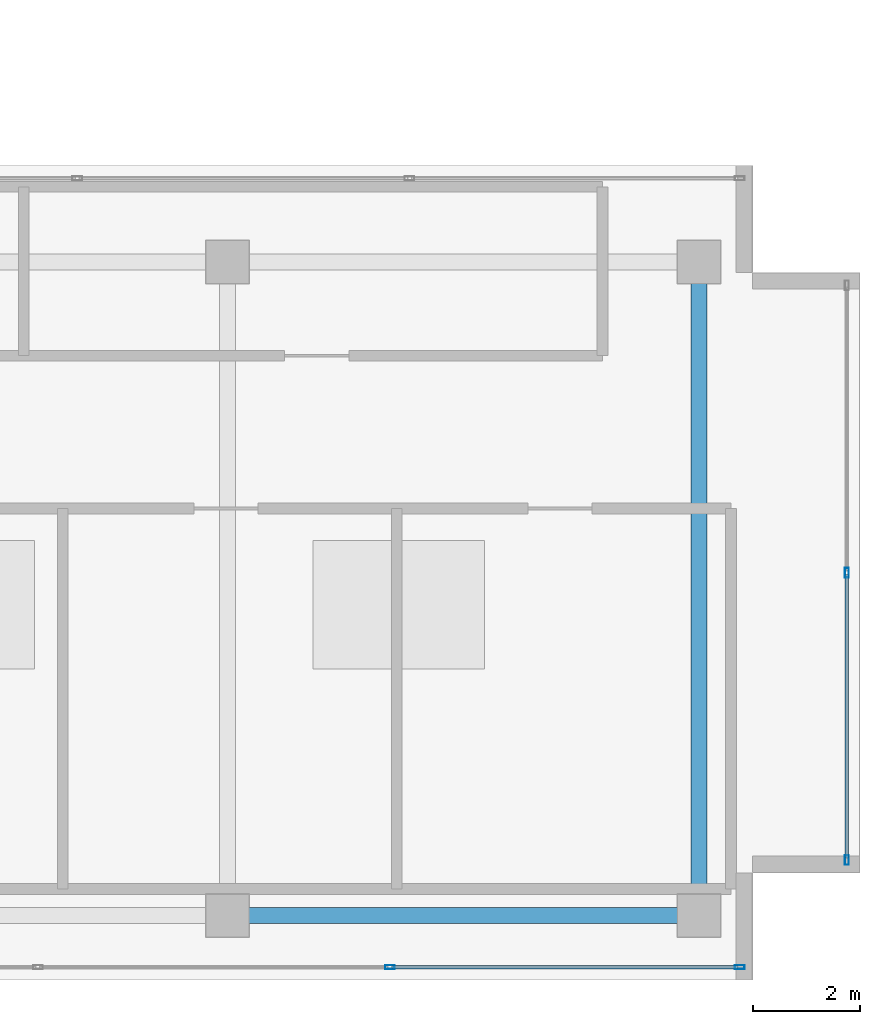
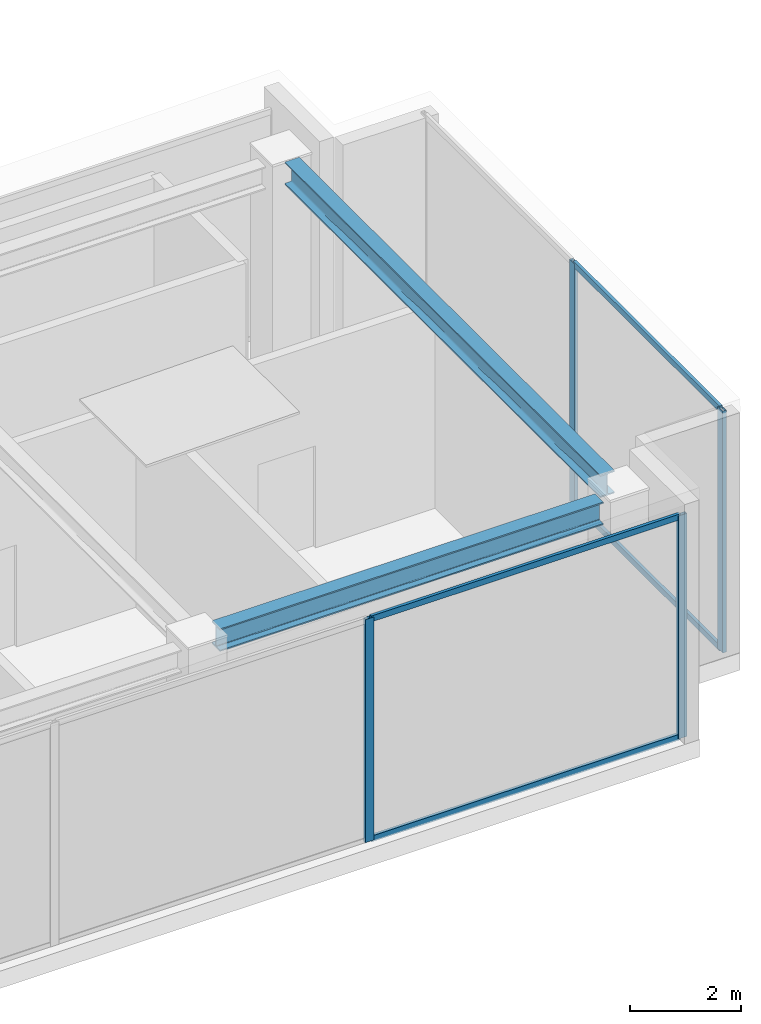
# One storey, part 14 of 22: 8 members, 2 beams, 2 elements without a shape of their own.
"""IFC4 building model written with IfcOpenShell, lengths in metres."""

from ifc_helpers import new_model, si_unit, direction, frame, origin, origin_with_axes, origin_2d, place, context, subcontext, project, spatial, hollow_rectangle, i_section, extrude, source, transform, mapped, material, layer, layer_set, material_profile, profile_set, type_object, element, aggregate, save


model = new_model("IFC4")

# Units and contexts
model_context = context("Model", 3, precision=1e-05, world=origin(), true_north=direction((0.0, 1.0)))
body_context = subcontext(model_context, "Body", "Model", "MODEL_VIEW")
ifc_project = project(units=[si_unit("LENGTHUNIT", "METRE"), si_unit("AREAUNIT", "SQUARE_METRE"), si_unit("VOLUMEUNIT", "CUBIC_METRE"), si_unit("PLANEANGLEUNIT", "RADIAN"), si_unit("MASSUNIT", "GRAM", prefix="KILO")], contexts=[model_context])

# Site, building, storey
site_placement = place(None, origin())
site = spatial("IfcSite", under=ifc_project, at=site_placement, CompositionType="ELEMENT")
building_placement = place(site_placement, origin())
building = spatial("IfcBuilding", under=site, at=building_placement, Name="Kolvaren Waterfront Exchange", CompositionType="ELEMENT")
storey_placement = place(building_placement, frame((0.0, 0.0, 360.39990234375)))
storey = spatial("IfcBuildingStorey", under=building, at=storey_placement, Name="RF", CompositionType="ELEMENT", Elevation=360.39990234375)

# Beams
ifc_material_1 = material(Name="Steel S355", Category="steel")
ifc_material_profile_1 = material_profile(ifc_material_1, i_section(OverallWidth=0.300048828125, OverallDepth=0.5, WebThickness=0.014404296875, FlangeThickness=0.028076171875, FilletRadius=0.027099609375, at=origin_2d()), Name="HEB500")
ifc_profile_set_1 = profile_set([ifc_material_profile_1], Name="Steel S355")
beam_type = type_object("IfcBeamType", Name="STR-BM-HEB500", PredefinedType="BEAM", material=ifc_profile_set_1)
beam_1_placement = place(storey_placement, frame((37.201904296875, 5.199951171875, 4.84375), z_axis=(1.0, 0.0, 0.0), x_axis=(0.0, 1.0, 0.0)))
element("IfcBeam", 1, at=beam_1_placement, inside=storey, type_object=beam_type, Name="RF crown roof girder 5", PredefinedType="SPANDREL", context=body_context, shape_type="SweptSolid", body=[
    extrude(i_section(OverallWidth=0.300048828125, OverallDepth=0.5, WebThickness=0.014404296875, FlangeThickness=0.028076171875, FilletRadius=0.027099609375, at=origin_2d()), origin(), (0.0, 0.0, 1.0), 7.99609375),
])
beam_2_placement = place(storey_placement, frame((45.60009765625, 5.60205078125, 5.0126953125), z_axis=(0.0, 1.0, 0.0), x_axis=(-1.0, 0.0, 0.0)))
element("IfcBeam", 2, at=beam_2_placement, inside=storey, type_object=beam_type, Name="RF crown roof girder 8", PredefinedType="SPANDREL", context=body_context, shape_type="SweptSolid", body=[
    extrude(i_section(OverallWidth=0.300048828125, OverallDepth=0.5, WebThickness=0.014404296875, FlangeThickness=0.028076171875, FilletRadius=0.027099609375, at=origin_2d()), origin(), (0.0, 0.0, 1.0), 11.39599609375),
])

# Curtain wall, members
ifc_material_2 = material(Name="Anodised bronze aluminium 6063-T6", Category="aluminium")
ifc_layer = layer(ifc_material_2, 0.219970703125, Name="Anodised bronze aluminium 6063-T6")
ifc_layer_set = layer_set([ifc_layer], Name="Anodised bronze aluminium 6063-T6")
curtain_wall_type = type_object("IfcCurtainWallType", Name="ARC-CW-SYS5", PredefinedType="USERDEFINED", material=ifc_layer_set)
curtain_wall_1_placement = place(storey_placement, origin())
curtain_wall_1 = element("IfcCurtainWall", 3, at=curtain_wall_1_placement, inside=storey, type_object=curtain_wall_type, Name="RF stick curtain wall CW5 (CW-RF-S2)", ObjectType="STICK CURTAIN WALL", PredefinedType="USERDEFINED")
ifc_material_profile_2 = material_profile(ifc_material_2, hollow_rectangle(XDim=0.06494140625, YDim=0.1298828125, WallThickness=0.00390625, at=origin_2d()), Name="ALU-TRN-130x65x4")
ifc_profile_set_2 = profile_set([ifc_material_profile_2], Name="Anodised bronze aluminium 6063-T6")
member_type_1 = type_object("IfcMemberType", Name="ARC-CWT-130", PredefinedType="USERDEFINED", material=ifc_profile_set_2)
shared_shape_1 = source(origin_with_axes(), body_context, "Body", "SweptSolid", [
    extrude(hollow_rectangle(XDim=0.06494140625, YDim=0.1298828125, WallThickness=0.00390625, at=origin_2d()), origin(), (0.0, 0.0, 1.0), 6.4541015625),
])
member_1_placement = place(storey_placement, frame((39.870849609375, 4.239990234375, 0.03271484375), z_axis=(1.0, 0.0, 0.0), x_axis=(0.0, 1.0, 0.0)))
member_1 = element("IfcMember", 4, at=member_1_placement, type_object=member_type_1, Name="CW5 transom 3.1", ObjectType="TRANSOM", PredefinedType="USERDEFINED", context=body_context, shape_type="MappedRepresentation", body=[
    mapped(shared_shape_1, transform((0.0, 0.0, 0.0), x_axis=(1.0, 0.0, 0.0), y_axis=(0.0, 1.0, 0.0), z_axis=(0.0, 0.0, 1.0), scale=1.0)),
])
member_2_placement = place(storey_placement, frame((39.870849609375, 4.239990234375, 4.8876953125), z_axis=(1.0, 0.0, 0.0), x_axis=(0.0, 1.0, 0.0)))
member_2 = element("IfcMember", 5, at=member_2_placement, type_object=member_type_1, Name="CW5 transom 3.2", ObjectType="TRANSOM", PredefinedType="USERDEFINED", context=body_context, shape_type="MappedRepresentation", body=[
    mapped(shared_shape_1, transform((0.0, 0.0, 0.0), x_axis=(1.0, 0.0, 0.0), y_axis=(0.0, 1.0, 0.0), z_axis=(0.0, 0.0, 1.0), scale=1.0)),
])
ifc_material_profile_3 = material_profile(ifc_material_2, hollow_rectangle(XDim=0.074951171875, YDim=0.179931640625, WallThickness=0.00439453125, at=origin_2d()), Name="ALU-MUL-180x75x4.5")
ifc_profile_set_3 = profile_set([ifc_material_profile_3], Name="Anodised bronze aluminium 6063-T6")
member_type_2 = type_object("IfcMemberType", Name="ARC-CWM-180", PredefinedType="MULLION", material=ifc_profile_set_3)
shared_shape_2 = source(origin_with_axes(), body_context, "Body", "SweptSolid", [
    extrude(hollow_rectangle(XDim=0.074951171875, YDim=0.179931640625, WallThickness=0.00439453125, at=origin_2d()), origin(), (0.0, 0.0, 1.0), 4.920166015625),
])
member_3_placement = place(storey_placement, frame((39.833251953125, 4.239990234375, 0.0), z_axis=(0.0, 0.0, 1.0), x_axis=(0.0, 1.0, 0.0)))
member_3 = element("IfcMember", 6, at=member_3_placement, type_object=member_type_2, Name="CW5 mullion 3", PredefinedType="MULLION", context=body_context, shape_type="MappedRepresentation", body=[
    mapped(shared_shape_2, transform((0.0, 0.0, 0.0), x_axis=(1.0, 0.0, 0.0), y_axis=(0.0, 1.0, 0.0), z_axis=(0.0, 0.0, 1.0), scale=1.0)),
])
member_4_placement = place(storey_placement, frame((46.362548828125, 4.239990234375, 0.0), z_axis=(0.0, 0.0, 1.0), x_axis=(0.0, 1.0, 0.0)))
member_4 = element("IfcMember", 7, at=member_4_placement, type_object=member_type_2, Name="CW5 mullion 4", PredefinedType="MULLION", context=body_context, shape_type="MappedRepresentation", body=[
    mapped(shared_shape_2, transform((0.0, 0.0, 0.0), x_axis=(1.0, 0.0, 0.0), y_axis=(0.0, 1.0, 0.0), z_axis=(0.0, 0.0, 1.0), scale=1.0)),
])
aggregate(curtain_wall_1, [member_3, member_4, member_1, member_2])

curtain_wall_2_placement = place(storey_placement, origin())
curtain_wall_2 = element("IfcCurtainWall", 8, at=curtain_wall_2_placement, inside=storey, type_object=curtain_wall_type, Name="RF stick curtain wall CW5 (CW-RF-ET)", ObjectType="STICK CURTAIN WALL", PredefinedType="USERDEFINED")
shared_shape_3 = source(origin_with_axes(), body_context, "Body", "SweptSolid", [
    extrude(hollow_rectangle(XDim=0.074951171875, YDim=0.179931640625, WallThickness=0.00439453125, at=origin_2d()), origin(), (0.0, 0.0, 1.0), 5.33544921875),
])
member_5_placement = place(storey_placement, frame((48.360107421875, 6.237548828125, 0.0), z_axis=(0.0, 0.0, 1.0), x_axis=(-1.0, 0.0, 0.0)))
member_5 = element("IfcMember", 9, at=member_5_placement, type_object=member_type_2, Name="CW5 mullion 1", PredefinedType="MULLION", context=body_context, shape_type="MappedRepresentation", body=[
    mapped(shared_shape_3, transform((0.0, 0.0, 0.0), x_axis=(1.0, 0.0, 0.0), y_axis=(0.0, 1.0, 0.0), z_axis=(0.0, 0.0, 1.0), scale=1.0)),
])
member_6_placement = place(storey_placement, frame((48.360107421875, 11.60009765625, 0.0), z_axis=(0.0, 0.0, 1.0), x_axis=(-1.0, 0.0, 0.0)))
member_6 = element("IfcMember", 10, at=member_6_placement, type_object=member_type_2, Name="CW5 mullion 2", PredefinedType="MULLION", context=body_context, shape_type="MappedRepresentation", body=[
    mapped(shared_shape_3, transform((0.0, 0.0, 0.0), x_axis=(1.0, 0.0, 0.0), y_axis=(0.0, 1.0, 0.0), z_axis=(0.0, 0.0, 1.0), scale=1.0)),
])
shared_shape_4 = source(origin_with_axes(), body_context, "Body", "SweptSolid", [
    extrude(hollow_rectangle(XDim=0.06494140625, YDim=0.1298828125, WallThickness=0.00390625, at=origin_2d()), origin(), (0.0, 0.0, 1.0), 5.28759765625),
])
member_7_placement = place(storey_placement, frame((48.360107421875, 6.27490234375, 0.03271484375), z_axis=(0.0, 1.0, 0.0), x_axis=(-1.0, 0.0, 0.0)))
member_7 = element("IfcMember", 11, at=member_7_placement, type_object=member_type_1, Name="CW5 transom 1.1", ObjectType="TRANSOM", PredefinedType="USERDEFINED", context=body_context, shape_type="MappedRepresentation", body=[
    mapped(shared_shape_4, transform((0.0, 0.0, 0.0), x_axis=(1.0, 0.0, 0.0), y_axis=(0.0, 1.0, 0.0), z_axis=(0.0, 0.0, 1.0), scale=1.0)),
])
member_8_placement = place(storey_placement, frame((48.360107421875, 6.27490234375, 5.302978515625), z_axis=(0.0, 1.0, 0.0), x_axis=(-1.0, 0.0, 0.0)))
member_8 = element("IfcMember", 12, at=member_8_placement, type_object=member_type_1, Name="CW5 transom 1.2", ObjectType="TRANSOM", PredefinedType="USERDEFINED", context=body_context, shape_type="MappedRepresentation", body=[
    mapped(shared_shape_4, transform((0.0, 0.0, 0.0), x_axis=(1.0, 0.0, 0.0), y_axis=(0.0, 1.0, 0.0), z_axis=(0.0, 0.0, 1.0), scale=1.0)),
])
aggregate(curtain_wall_2, [member_5, member_6, member_7, member_8])

save(model, "model.ifc")
